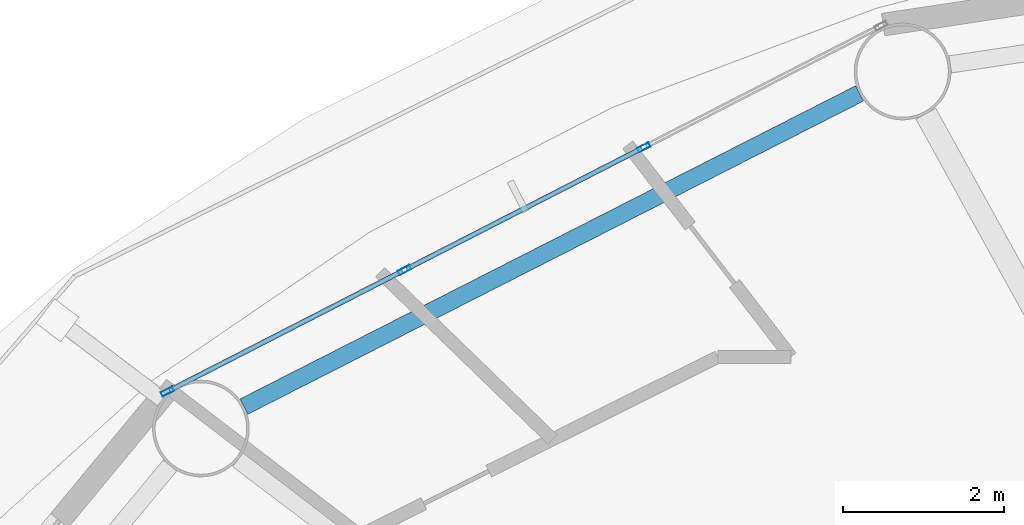
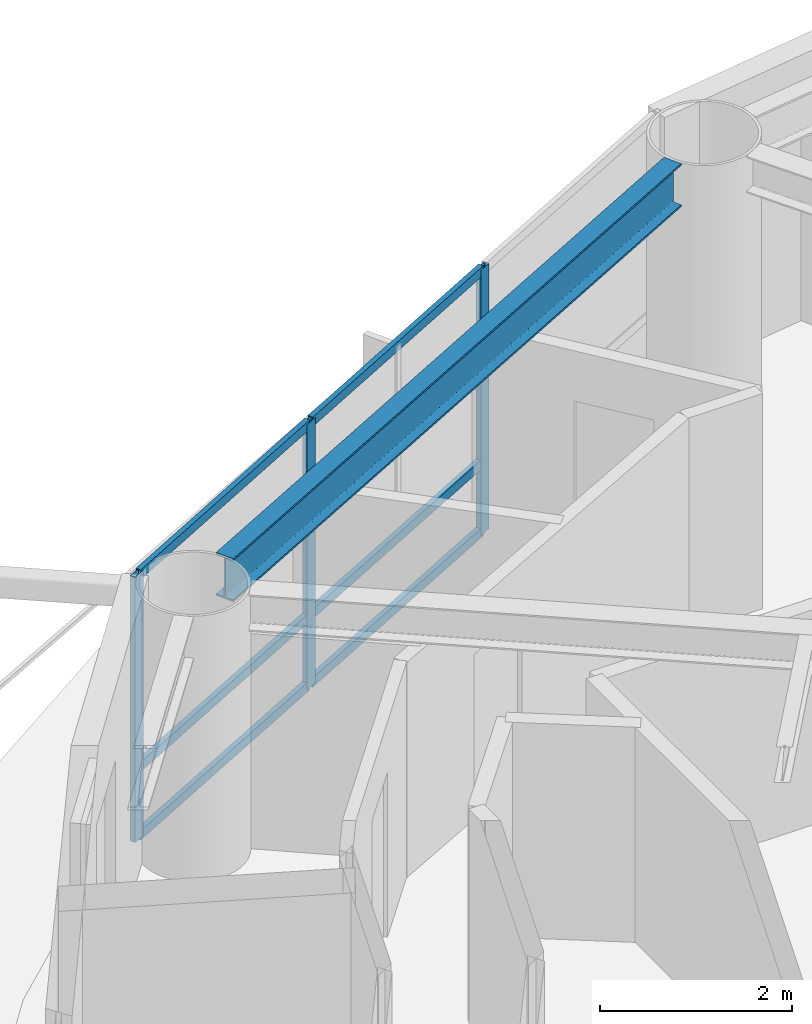
# One storey, part 11 of 28: 9 members, 1 beam, 1 element without a shape of its own.
"""IFC4 building model written with IfcOpenShell, lengths in metres."""

from ifc_helpers import new_model, si_unit, direction, frame, origin, origin_2d, place, context, subcontext, project, spatial, hollow_rectangle, i_section, extrude, material, layer, layer_set, material_profile, profile_set, type_object, element, aggregate, save


model = new_model("IFC4")

# Units and contexts
model_context = context("Model", 3, precision=1e-05, world=origin(), true_north=direction((0.0, 1.0)))
body_context = subcontext(model_context, "Body", "Model", "MODEL_VIEW")
ifc_project = project(units=[si_unit("LENGTHUNIT", "METRE"), si_unit("AREAUNIT", "SQUARE_METRE"), si_unit("VOLUMEUNIT", "CUBIC_METRE"), si_unit("PLANEANGLEUNIT", "RADIAN"), si_unit("MASSUNIT", "GRAM", prefix="KILO")], contexts=[model_context])

# Site, building, storey
site_placement = place(None, origin())
site = spatial("IfcSite", under=ifc_project, at=site_placement, CompositionType="ELEMENT")
building_placement = place(site_placement, origin())
building = spatial("IfcBuilding", under=site, at=building_placement, Name="Sarneth Arch Tower", CompositionType="ELEMENT")
storey_placement = place(building_placement, frame((0.0, 0.0, 190.199951171875)))
storey = spatial("IfcBuildingStorey", under=building, at=storey_placement, Name="L48", CompositionType="ELEMENT", Elevation=190.199951171875)

# Beam
ifc_material_1 = material(Name="Steel S355", Category="steel")
ifc_material_profile_1 = material_profile(ifc_material_1, i_section(OverallWidth=0.214111328125, OverallDepth=0.549072265625, WebThickness=0.0146484375, FlangeThickness=0.023681640625, FilletRadius=0.01806640625, at=origin_2d()), Name="W530x138")
ifc_profile_set_1 = profile_set([ifc_material_profile_1], Name="Steel S355")
beam_type = type_object("IfcBeamType", Name="BM-RAD-530A", PredefinedType="BEAM", material=ifc_profile_set_1)
beam_placement = place(storey_placement, frame((37.04345703125, 60.621337890625, 3.10546875), z_axis=(-0.891250372735, -0.453511601945, 0.0), x_axis=(0.453511601945, -0.891250372735, 0.0)))
element("IfcBeam", 1, at=beam_placement, inside=storey, type_object=beam_type, Name="L48 Perimeter spandrel beam 06", PredefinedType="BEAM", context=body_context, shape_type="SweptSolid", body=[
    extrude(i_section(OverallWidth=0.214111328125, OverallDepth=0.549072265625, WebThickness=0.0146484375, FlangeThickness=0.023681640625, FilletRadius=0.01806640625, at=origin_2d()), origin(), (0.0, 0.0, 1.0), 8.5751953125),
])

# Curtain wall, members
ifc_material_2 = material(Name="Anodised aluminium Type AA25 and solar-control low-e laminated IGU", Category="aluminium")
ifc_layer = layer(ifc_material_2, 0.169921875)
ifc_layer_set = layer_set([ifc_layer], Name="Anodised aluminium Type AA25 and solar-control low-e laminated IGU")
curtain_wall_type = type_object("IfcCurtainWallType", Name="CW-RES-MID", PredefinedType="NOTDEFINED", material=ifc_layer_set)
curtain_wall_placement = place(storey_placement, origin())
curtain_wall = element("IfcCurtainWall", 2, at=curtain_wall_placement, inside=storey, type_object=curtain_wall_type, Name="L48 Unitised curtain wall facet 06", PredefinedType="NOTDEFINED")
ifc_material_3 = material(Name="Anodised Aluminium 6063-T6", Category="aluminium")
ifc_material_profile_2 = material_profile(ifc_material_3, hollow_rectangle(XDim=0.06005859375, YDim=0.159912109375, WallThickness=0.00390625, at=origin_2d()), Name="AL-MULL-160x60x4")
ifc_profile_set_2 = profile_set([ifc_material_profile_2], Name="Anodised Aluminium 6063-T6")
member_type_1 = type_object("IfcMemberType", Name="CW-MULLION", PredefinedType="MULLION", material=ifc_profile_set_2)
member_1_placement = place(storey_placement, frame((34.365966796875, 59.9521484375, 0.0), z_axis=(0.0, 0.0, 1.0), x_axis=(0.456208470329, -0.88987293003, 0.0)))
member_1 = element("IfcMember", 3, at=member_1_placement, type_object=member_type_1, Name="CW-SYS-5 mullion 2", PredefinedType="MULLION", context=body_context, shape_type="SweptSolid", body=[
    extrude(hollow_rectangle(XDim=0.06005859375, YDim=0.159912109375, WallThickness=0.00390625, at=origin_2d()), origin(), (0.0, 0.0, 1.0), 3.380126953125),
])
member_2_placement = place(storey_placement, frame((31.39501953125, 58.428955078125, 0.0), z_axis=(0.0, 0.0, 1.0), x_axis=(0.456208470329, -0.88987293003, 0.0)))
member_2 = element("IfcMember", 4, at=member_2_placement, type_object=member_type_1, Name="CW-SYS-5 mullion 3", PredefinedType="MULLION", context=body_context, shape_type="SweptSolid", body=[
    extrude(hollow_rectangle(XDim=0.06005859375, YDim=0.159912109375, WallThickness=0.00390625, at=origin_2d()), origin(), (0.0, 0.0, 1.0), 3.380126953125),
])
member_3_placement = place(storey_placement, frame((28.450439453125, 56.91943359375, 0.0), z_axis=(0.0, 0.0, 1.0), x_axis=(0.456208470329, -0.88987293003, 0.0)))
member_3 = element("IfcMember", 5, at=member_3_placement, type_object=member_type_1, Name="CW-SYS-5 mullion 4", PredefinedType="MULLION", context=body_context, shape_type="SweptSolid", body=[
    extrude(hollow_rectangle(XDim=0.06005859375, YDim=0.159912109375, WallThickness=0.00390625, at=origin_2d()), origin(), (0.0, 0.0, 1.0), 3.380126953125),
])
ifc_material_4 = material(Name="Anodised Aluminium 6063-T6", Category="aluminium")
ifc_material_profile_3 = material_profile(ifc_material_4, hollow_rectangle(XDim=0.06005859375, YDim=0.1201171875, WallThickness=0.00390625, at=origin_2d()), Name="AL-TRAN-120x60x4")
ifc_profile_set_3 = profile_set([ifc_material_profile_3], Name="Anodised Aluminium 6063-T6")
member_type_2 = type_object("IfcMemberType", Name="CW-TRANSOM", PredefinedType="USERDEFINED", material=ifc_profile_set_3)
member_4_placement = place(storey_placement, frame((34.33935546875, 59.9384765625, 0.030029296875), z_axis=(-0.889869396751, -0.45621536222, 0.0), x_axis=(0.45621536222, -0.889869396751, 0.0)))
member_4 = element("IfcMember", 6, at=member_4_placement, type_object=member_type_2, Name="CW-SYS-5 transom 2.1", ObjectType="TRANSOM", PredefinedType="USERDEFINED", context=body_context, shape_type="SweptSolid", body=[
    extrude(hollow_rectangle(XDim=0.06005859375, YDim=0.1201171875, WallThickness=0.00390625, at=origin_2d()), origin(), (0.0, 0.0, 1.0), 3.27880859375),
])
member_5_placement = place(storey_placement, frame((34.33935546875, 59.9384765625, 0.900146484375), z_axis=(-0.889869396751, -0.45621536222, 0.0), x_axis=(0.45621536222, -0.889869396751, 0.0)))
member_5 = element("IfcMember", 7, at=member_5_placement, type_object=member_type_2, Name="CW-SYS-5 transom 2.2", ObjectType="TRANSOM", PredefinedType="USERDEFINED", context=body_context, shape_type="SweptSolid", body=[
    extrude(hollow_rectangle(XDim=0.06005859375, YDim=0.1201171875, WallThickness=0.00390625, at=origin_2d()), origin(), (0.0, 0.0, 1.0), 3.27880859375),
])
member_6_placement = place(storey_placement, frame((34.33935546875, 59.9384765625, 3.35009765625), z_axis=(-0.889869396751, -0.45621536222, 0.0), x_axis=(0.45621536222, -0.889869396751, 0.0)))
member_6 = element("IfcMember", 8, at=member_6_placement, type_object=member_type_2, Name="CW-SYS-5 transom 2.3", ObjectType="TRANSOM", PredefinedType="USERDEFINED", context=body_context, shape_type="SweptSolid", body=[
    extrude(hollow_rectangle(XDim=0.06005859375, YDim=0.1201171875, WallThickness=0.00390625, at=origin_2d()), origin(), (0.0, 0.0, 1.0), 3.27880859375),
])
member_7_placement = place(storey_placement, frame((31.3681640625, 58.415283203125, 0.030029296875), z_axis=(-0.889857362344, -0.456238835131, 0.0), x_axis=(0.456238835131, -0.889857362344, 0.0)))
member_7 = element("IfcMember", 9, at=member_7_placement, type_object=member_type_2, Name="CW-SYS-5 transom 3.1", ObjectType="TRANSOM", PredefinedType="USERDEFINED", context=body_context, shape_type="SweptSolid", body=[
    extrude(hollow_rectangle(XDim=0.06005859375, YDim=0.1201171875, WallThickness=0.00390625, at=origin_2d()), origin(), (0.0, 0.0, 1.0), 3.248779296875),
])
member_8_placement = place(storey_placement, frame((31.3681640625, 58.415283203125, 0.900146484375), z_axis=(-0.889857362344, -0.456238835131, 0.0), x_axis=(0.456238835131, -0.889857362344, 0.0)))
member_8 = element("IfcMember", 10, at=member_8_placement, type_object=member_type_2, Name="CW-SYS-5 transom 3.2", ObjectType="TRANSOM", PredefinedType="USERDEFINED", context=body_context, shape_type="SweptSolid", body=[
    extrude(hollow_rectangle(XDim=0.06005859375, YDim=0.1201171875, WallThickness=0.00390625, at=origin_2d()), origin(), (0.0, 0.0, 1.0), 3.248779296875),
])
member_9_placement = place(storey_placement, frame((31.3681640625, 58.415283203125, 3.35009765625), z_axis=(-0.889857362344, -0.456238835131, 0.0), x_axis=(0.456238835131, -0.889857362344, 0.0)))
member_9 = element("IfcMember", 11, at=member_9_placement, type_object=member_type_2, Name="CW-SYS-5 transom 3.3", ObjectType="TRANSOM", PredefinedType="USERDEFINED", context=body_context, shape_type="SweptSolid", body=[
    extrude(hollow_rectangle(XDim=0.06005859375, YDim=0.1201171875, WallThickness=0.00390625, at=origin_2d()), origin(), (0.0, 0.0, 1.0), 3.248779296875),
])
aggregate(curtain_wall, [member_1, member_2, member_3, member_4, member_5, member_6, member_7, member_8, member_9])

save(model, "model.ifc")
